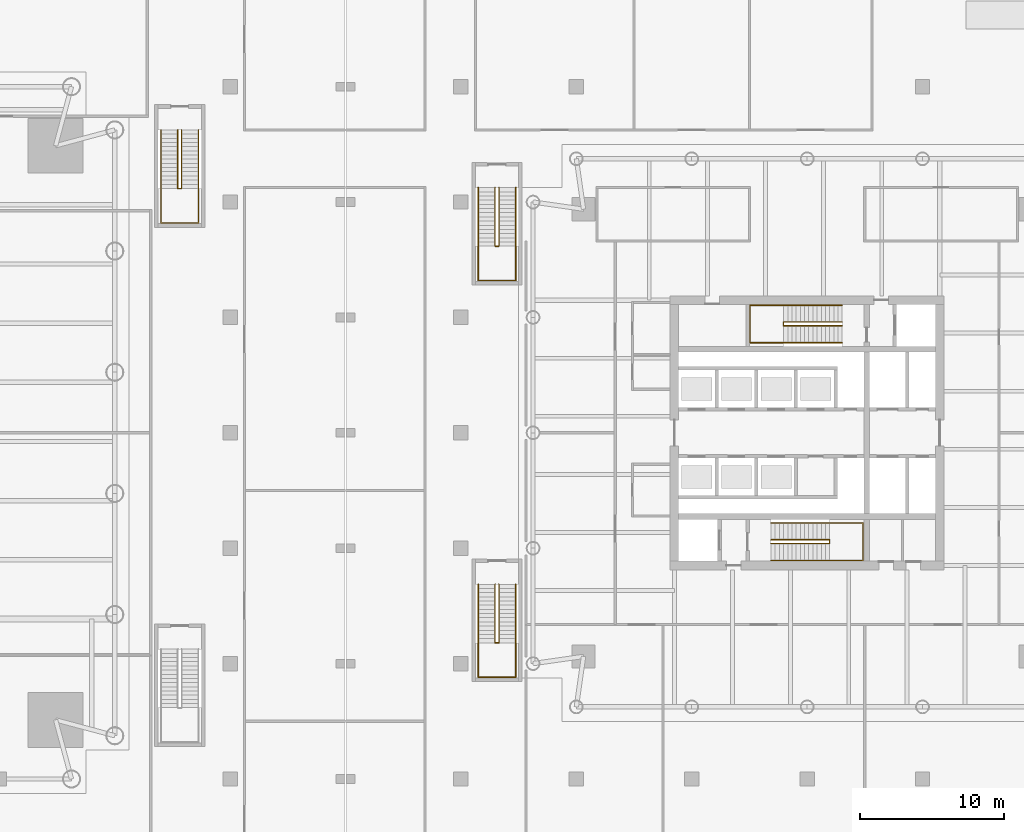
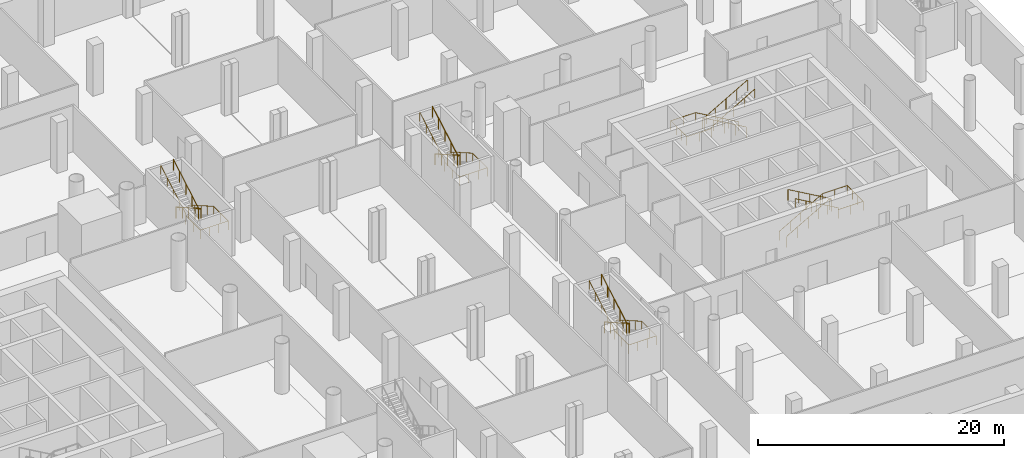
# One storey, part 20 of 22: 10 railings.
"""IFC4 building model written with IfcOpenShell, lengths in metres."""

from ifc_helpers import new_model, si_unit, direction, frame, origin, origin_2d, place, context, subcontext, project, spatial, circle, extrude, material, type_object, element, save


model = new_model("IFC4")

# Units and contexts
model_context = context("Model", 3, precision=1e-05, world=origin(), true_north=direction((0.0, 1.0)))
body_context = subcontext(model_context, "Body", "Model", "MODEL_VIEW")
ifc_project = project(units=[si_unit("LENGTHUNIT", "METRE"), si_unit("AREAUNIT", "SQUARE_METRE"), si_unit("VOLUMEUNIT", "CUBIC_METRE"), si_unit("PLANEANGLEUNIT", "RADIAN"), si_unit("MASSUNIT", "GRAM", prefix="KILO")], contexts=[model_context])

# Site, building, storey
site_placement = place(None, origin())
site = spatial("IfcSite", under=ifc_project, at=site_placement, CompositionType="ELEMENT")
building_placement = place(site_placement, origin())
building = spatial("IfcBuilding", under=site, at=building_placement, Name="Ostroluk Exchange", CompositionType="ELEMENT")
storey_placement = place(building_placement, frame((0.0, 0.0, -5.0)))
storey = spatial("IfcBuildingStorey", under=building, at=storey_placement, Name="B1", CompositionType="ELEMENT", Elevation=-5.0)

# Railings
ifc_material_1 = material(Name="Steel S355", Category="steel")
railing_type_1 = type_object("IfcRailingType", Name="Stair guard 1100", PredefinedType="GUARDRAIL", material=ifc_material_1)
railing_1_placement = place(storey_placement, frame((114.5, 38.580078125, 0.166748046875)))
element("IfcRailing", 1, at=railing_1_placement, inside=storey, type_object=railing_type_1, Name="Stair T2-S1 guard B1", PredefinedType="GUARDRAIL", context=body_context, shape_type="SweptSolid", body=[
    extrude(circle(Radius=0.02392578125, at=origin_2d()), frame((0.0, 0.0, 1.076171875), z_axis=(0.867024558463, 0.0, 0.498265406207), x_axis=(0.0, 1.0, 0.0)), (0.0, 0.0, 1.0), 4.682861328125),
    extrude(circle(Radius=0.02392578125, at=origin_2d()), frame((4.06005859375, 0.0, 3.4091796875), z_axis=(0.0, -1.0, 0.0), x_axis=(1.0, 0.0, 0.0)), (0.0, 0.0, 1.0), 0.260009765625),
    extrude(circle(Radius=0.02392578125, at=origin_2d()), frame((4.06005859375, -0.260009765625, 3.4091796875), z_axis=(0.0, 0.0, 1.0), x_axis=(1.0, 0.0, 0.0)), (0.0, 0.0, 1.0), 0.166748046875),
    extrude(circle(Radius=0.02392578125, at=origin_2d()), frame((4.06005859375, -0.260009765625, 3.576171875), z_axis=(-0.867024558463, 0.0, 0.498265406207), x_axis=(0.0, -1.0, 0.0)), (0.0, 0.0, 1.0), 4.682861328125),
    extrude(circle(Radius=0.02099609375, at=origin_2d()), origin(), (0.0, 0.0, 1.0), 1.052001953125),
    extrude(circle(Radius=0.02099609375, at=origin_2d()), frame((1.01513671875, 0.0, 0.583251953125)), (0.0, 0.0, 1.0), 1.052001953125),
    extrude(circle(Radius=0.02099609375, at=origin_2d()), frame((2.030029296875, 0.0, 1.16650390625)), (0.0, 0.0, 1.0), 1.052001953125),
    extrude(circle(Radius=0.02099609375, at=origin_2d()), frame((3.044921875, 0.0, 1.75)), (0.0, 0.0, 1.0), 1.052001953125),
    extrude(circle(Radius=0.02099609375, at=origin_2d()), frame((4.06005859375, 0.0, 2.333251953125)), (0.0, 0.0, 1.0), 1.052001953125),
    extrude(circle(Radius=0.02099609375, at=origin_2d()), frame((4.06005859375, -0.260009765625, 2.333251953125)), (0.0, 0.0, 1.0), 1.052001953125),
    extrude(circle(Radius=0.02099609375, at=origin_2d()), frame((4.06005859375, -0.260009765625, 2.5)), (0.0, 0.0, 1.0), 1.052001953125),
    extrude(circle(Radius=0.02099609375, at=origin_2d()), frame((3.044921875, -0.260009765625, 3.083251953125)), (0.0, 0.0, 1.0), 1.052001953125),
    extrude(circle(Radius=0.02099609375, at=origin_2d()), frame((2.030029296875, -0.260009765625, 3.66650390625)), (0.0, 0.0, 1.0), 1.052001953125),
    extrude(circle(Radius=0.02099609375, at=origin_2d()), frame((1.01513671875, -0.260009765625, 4.25)), (0.0, 0.0, 1.0), 1.052001953125),
    extrude(circle(Radius=0.02099609375, at=origin_2d()), frame((0.0, -0.260009765625, 4.833251953125)), (0.0, 0.0, 1.0), 1.052001953125),
])
railing_2_placement = place(storey_placement, frame((119.429931640625, 53.679931640625, 0.166748046875)))
element("IfcRailing", 2, at=railing_2_placement, inside=storey, type_object=railing_type_1, Name="Stair T2-S2 guard B1", PredefinedType="GUARDRAIL", context=body_context, shape_type="SweptSolid", body=[
    extrude(circle(Radius=0.02392578125, at=origin_2d()), frame((0.0, 0.0, 1.076171875), z_axis=(-0.86701161382, 0.0, 0.498287930319), x_axis=(0.0, -1.0, 0.0)), (0.0, 0.0, 1.0), 4.6826171875),
    extrude(circle(Radius=0.02392578125, at=origin_2d()), frame((-4.059814453125, 0.0, 3.4091796875), z_axis=(0.0, -1.0, 0.0), x_axis=(1.0, 0.0, 0.0)), (0.0, 0.0, 1.0), 0.260009765625),
    extrude(circle(Radius=0.02392578125, at=origin_2d()), frame((-4.059814453125, -0.260009765625, 3.4091796875), z_axis=(0.0, 0.0, 1.0), x_axis=(1.0, 0.0, 0.0)), (0.0, 0.0, 1.0), 0.166748046875),
    extrude(circle(Radius=0.02392578125, at=origin_2d()), frame((-4.059814453125, -0.260009765625, 3.576171875), z_axis=(0.86701161382, 0.0, 0.498287930319), x_axis=(0.0, 1.0, 0.0)), (0.0, 0.0, 1.0), 4.6826171875),
    extrude(circle(Radius=0.02099609375, at=origin_2d()), origin(), (0.0, 0.0, 1.0), 1.052001953125),
    extrude(circle(Radius=0.02099609375, at=origin_2d()), frame((-1.014892578125, 0.0, 0.583251953125)), (0.0, 0.0, 1.0), 1.052001953125),
    extrude(circle(Radius=0.02099609375, at=origin_2d()), frame((-2.02978515625, 0.0, 1.16650390625)), (0.0, 0.0, 1.0), 1.052001953125),
    extrude(circle(Radius=0.02099609375, at=origin_2d()), frame((-3.044921875, 0.0, 1.75)), (0.0, 0.0, 1.0), 1.052001953125),
    extrude(circle(Radius=0.02099609375, at=origin_2d()), frame((-4.059814453125, 0.0, 2.333251953125)), (0.0, 0.0, 1.0), 1.052001953125),
    extrude(circle(Radius=0.02099609375, at=origin_2d()), frame((-4.059814453125, -0.260009765625, 2.333251953125)), (0.0, 0.0, 1.0), 1.052001953125),
    extrude(circle(Radius=0.02099609375, at=origin_2d()), frame((-4.059814453125, -0.260009765625, 2.5)), (0.0, 0.0, 1.0), 1.052001953125),
    extrude(circle(Radius=0.02099609375, at=origin_2d()), frame((-3.044921875, -0.260009765625, 3.083251953125)), (0.0, 0.0, 1.0), 1.052001953125),
    extrude(circle(Radius=0.02099609375, at=origin_2d()), frame((-2.02978515625, -0.260009765625, 3.66650390625)), (0.0, 0.0, 1.0), 1.052001953125),
    extrude(circle(Radius=0.02099609375, at=origin_2d()), frame((-1.014892578125, -0.260009765625, 4.25)), (0.0, 0.0, 1.0), 1.052001953125),
    extrude(circle(Radius=0.02099609375, at=origin_2d()), frame((0.0, -0.260009765625, 4.833251953125)), (0.0, 0.0, 1.0), 1.052001953125),
])
railing_3_placement = place(storey_placement, frame((73.6298828125, 67.0, 0.166748046875)))
element("IfcRailing", 3, at=railing_3_placement, inside=storey, type_object=railing_type_1, Name="Stair PS4 guard B1", PredefinedType="GUARDRAIL", context=body_context, shape_type="SweptSolid", body=[
    extrude(circle(Radius=0.02392578125, at=origin_2d()), frame((0.0, 0.0, 1.076171875), z_axis=(0.0, -0.867024558463, 0.498265406207), x_axis=(1.0, 0.0, 0.0)), (0.0, 0.0, 1.0), 4.682861328125),
    extrude(circle(Radius=0.02392578125, at=origin_2d()), frame((0.0, -4.06005859375, 3.4091796875), z_axis=(-1.0, 0.0, 0.0), x_axis=(0.0, -1.0, 0.0)), (0.0, 0.0, 1.0), 0.259765625),
    extrude(circle(Radius=0.02392578125, at=origin_2d()), frame((-0.259765625, -4.06005859375, 3.4091796875), z_axis=(0.0, 0.0, 1.0), x_axis=(1.0, 0.0, 0.0)), (0.0, 0.0, 1.0), 0.166748046875),
    extrude(circle(Radius=0.02392578125, at=origin_2d()), frame((-0.259765625, -4.06005859375, 3.576171875), z_axis=(0.0, 0.867024558463, 0.498265406207), x_axis=(-1.0, 0.0, 0.0)), (0.0, 0.0, 1.0), 4.682861328125),
    extrude(circle(Radius=0.02099609375, at=origin_2d()), origin(), (0.0, 0.0, 1.0), 1.052001953125),
    extrude(circle(Radius=0.02099609375, at=origin_2d()), frame((0.0, -1.01513671875, 0.583251953125)), (0.0, 0.0, 1.0), 1.052001953125),
    extrude(circle(Radius=0.02099609375, at=origin_2d()), frame((0.0, -2.030029296875, 1.16650390625)), (0.0, 0.0, 1.0), 1.052001953125),
    extrude(circle(Radius=0.02099609375, at=origin_2d()), frame((0.0, -3.044921875, 1.75)), (0.0, 0.0, 1.0), 1.052001953125),
    extrude(circle(Radius=0.02099609375, at=origin_2d()), frame((0.0, -4.06005859375, 2.333251953125)), (0.0, 0.0, 1.0), 1.052001953125),
    extrude(circle(Radius=0.02099609375, at=origin_2d()), frame((-0.259765625, -4.06005859375, 2.333251953125)), (0.0, 0.0, 1.0), 1.052001953125),
    extrude(circle(Radius=0.02099609375, at=origin_2d()), frame((-0.259765625, -4.06005859375, 2.5)), (0.0, 0.0, 1.0), 1.052001953125),
    extrude(circle(Radius=0.02099609375, at=origin_2d()), frame((-0.259765625, -3.044921875, 3.083251953125)), (0.0, 0.0, 1.0), 1.052001953125),
    extrude(circle(Radius=0.02099609375, at=origin_2d()), frame((-0.259765625, -2.030029296875, 3.66650390625)), (0.0, 0.0, 1.0), 1.052001953125),
    extrude(circle(Radius=0.02099609375, at=origin_2d()), frame((-0.259765625, -1.01513671875, 4.25)), (0.0, 0.0, 1.0), 1.052001953125),
    extrude(circle(Radius=0.02099609375, at=origin_2d()), frame((-0.259765625, 0.0, 4.833251953125)), (0.0, 0.0, 1.0), 1.052001953125),
])
railing_4_placement = place(storey_placement, frame((95.6298828125, 35.5, 0.166748046875)))
element("IfcRailing", 4, at=railing_4_placement, inside=storey, type_object=railing_type_1, Name="Stair PS5 guard B1", PredefinedType="GUARDRAIL", context=body_context, shape_type="SweptSolid", body=[
    extrude(circle(Radius=0.02392578125, at=origin_2d()), frame((0.0, 0.0, 1.076171875), z_axis=(0.0, -0.867024558463, 0.498265406207), x_axis=(1.0, 0.0, 0.0)), (0.0, 0.0, 1.0), 4.682861328125),
    extrude(circle(Radius=0.02392578125, at=origin_2d()), frame((0.0, -4.06005859375, 3.4091796875), z_axis=(-1.0, 0.0, 0.0), x_axis=(0.0, -1.0, 0.0)), (0.0, 0.0, 1.0), 0.259765625),
    extrude(circle(Radius=0.02392578125, at=origin_2d()), frame((-0.259765625, -4.06005859375, 3.4091796875), z_axis=(0.0, 0.0, 1.0), x_axis=(1.0, 0.0, 0.0)), (0.0, 0.0, 1.0), 0.166748046875),
    extrude(circle(Radius=0.02392578125, at=origin_2d()), frame((-0.259765625, -4.06005859375, 3.576171875), z_axis=(0.0, 0.867024558463, 0.498265406207), x_axis=(-1.0, 0.0, 0.0)), (0.0, 0.0, 1.0), 4.682861328125),
    extrude(circle(Radius=0.02099609375, at=origin_2d()), origin(), (0.0, 0.0, 1.0), 1.052001953125),
    extrude(circle(Radius=0.02099609375, at=origin_2d()), frame((0.0, -1.01513671875, 0.583251953125)), (0.0, 0.0, 1.0), 1.052001953125),
    extrude(circle(Radius=0.02099609375, at=origin_2d()), frame((0.0, -2.030029296875, 1.16650390625)), (0.0, 0.0, 1.0), 1.052001953125),
    extrude(circle(Radius=0.02099609375, at=origin_2d()), frame((0.0, -3.044921875, 1.75)), (0.0, 0.0, 1.0), 1.052001953125),
    extrude(circle(Radius=0.02099609375, at=origin_2d()), frame((0.0, -4.06005859375, 2.333251953125)), (0.0, 0.0, 1.0), 1.052001953125),
    extrude(circle(Radius=0.02099609375, at=origin_2d()), frame((-0.259765625, -4.06005859375, 2.333251953125)), (0.0, 0.0, 1.0), 1.052001953125),
    extrude(circle(Radius=0.02099609375, at=origin_2d()), frame((-0.259765625, -4.06005859375, 2.5)), (0.0, 0.0, 1.0), 1.052001953125),
    extrude(circle(Radius=0.02099609375, at=origin_2d()), frame((-0.259765625, -3.044921875, 3.083251953125)), (0.0, 0.0, 1.0), 1.052001953125),
    extrude(circle(Radius=0.02099609375, at=origin_2d()), frame((-0.259765625, -2.030029296875, 3.66650390625)), (0.0, 0.0, 1.0), 1.052001953125),
    extrude(circle(Radius=0.02099609375, at=origin_2d()), frame((-0.259765625, -1.01513671875, 4.25)), (0.0, 0.0, 1.0), 1.052001953125),
    extrude(circle(Radius=0.02099609375, at=origin_2d()), frame((-0.259765625, 0.0, 4.833251953125)), (0.0, 0.0, 1.0), 1.052001953125),
])
railing_5_placement = place(storey_placement, frame((95.6298828125, 63.0, 0.166748046875)))
element("IfcRailing", 5, at=railing_5_placement, inside=storey, type_object=railing_type_1, Name="Stair PS6 guard B1", PredefinedType="GUARDRAIL", context=body_context, shape_type="SweptSolid", body=[
    extrude(circle(Radius=0.02392578125, at=origin_2d()), frame((0.0, 0.0, 1.076171875), z_axis=(0.0, -0.867024558463, 0.498265406207), x_axis=(1.0, 0.0, 0.0)), (0.0, 0.0, 1.0), 4.682861328125),
    extrude(circle(Radius=0.02392578125, at=origin_2d()), frame((0.0, -4.06005859375, 3.4091796875), z_axis=(-1.0, 0.0, 0.0), x_axis=(0.0, -1.0, 0.0)), (0.0, 0.0, 1.0), 0.259765625),
    extrude(circle(Radius=0.02392578125, at=origin_2d()), frame((-0.259765625, -4.06005859375, 3.4091796875), z_axis=(0.0, 0.0, 1.0), x_axis=(1.0, 0.0, 0.0)), (0.0, 0.0, 1.0), 0.166748046875),
    extrude(circle(Radius=0.02392578125, at=origin_2d()), frame((-0.259765625, -4.06005859375, 3.576171875), z_axis=(0.0, 0.867024558463, 0.498265406207), x_axis=(-1.0, 0.0, 0.0)), (0.0, 0.0, 1.0), 4.682861328125),
    extrude(circle(Radius=0.02099609375, at=origin_2d()), origin(), (0.0, 0.0, 1.0), 1.052001953125),
    extrude(circle(Radius=0.02099609375, at=origin_2d()), frame((0.0, -1.01513671875, 0.583251953125)), (0.0, 0.0, 1.0), 1.052001953125),
    extrude(circle(Radius=0.02099609375, at=origin_2d()), frame((0.0, -2.030029296875, 1.16650390625)), (0.0, 0.0, 1.0), 1.052001953125),
    extrude(circle(Radius=0.02099609375, at=origin_2d()), frame((0.0, -3.044921875, 1.75)), (0.0, 0.0, 1.0), 1.052001953125),
    extrude(circle(Radius=0.02099609375, at=origin_2d()), frame((0.0, -4.06005859375, 2.333251953125)), (0.0, 0.0, 1.0), 1.052001953125),
    extrude(circle(Radius=0.02099609375, at=origin_2d()), frame((-0.259765625, -4.06005859375, 2.333251953125)), (0.0, 0.0, 1.0), 1.052001953125),
    extrude(circle(Radius=0.02099609375, at=origin_2d()), frame((-0.259765625, -4.06005859375, 2.5)), (0.0, 0.0, 1.0), 1.052001953125),
    extrude(circle(Radius=0.02099609375, at=origin_2d()), frame((-0.259765625, -3.044921875, 3.083251953125)), (0.0, 0.0, 1.0), 1.052001953125),
    extrude(circle(Radius=0.02099609375, at=origin_2d()), frame((-0.259765625, -2.030029296875, 3.66650390625)), (0.0, 0.0, 1.0), 1.052001953125),
    extrude(circle(Radius=0.02099609375, at=origin_2d()), frame((-0.259765625, -1.01513671875, 4.25)), (0.0, 0.0, 1.0), 1.052001953125),
    extrude(circle(Radius=0.02099609375, at=origin_2d()), frame((-0.259765625, 0.0, 4.833251953125)), (0.0, 0.0, 1.0), 1.052001953125),
])
ifc_material_2 = material(Name="Stainless steel", Category="steel")
railing_type_2 = type_object("IfcRailingType", Name="Stair handrail 900", PredefinedType="HANDRAIL", material=ifc_material_2)
railing_6_placement = place(storey_placement, frame((114.5, 39.75, 0.166748046875)))
element("IfcRailing", 6, at=railing_6_placement, inside=storey, type_object=railing_type_2, Name="Stair T2-S1 handrail B1", PredefinedType="HANDRAIL", context=body_context, shape_type="SweptSolid", body=[
    extrude(circle(Radius=0.02392578125, at=origin_2d()), frame((0.0, 0.0, 0.8759765625), z_axis=(0.867024558463, 0.0, 0.498265406207), x_axis=(0.0, 1.0, 0.0)), (0.0, 0.0, 1.0), 4.682861328125),
    extrude(circle(Radius=0.02392578125, at=origin_2d()), frame((4.06005859375, 0.0, 3.208984375), z_axis=(1.0, 0.0, 0.0), x_axis=(0.0, 1.0, 0.0)), (0.0, 0.0, 1.0), 2.31982421875),
    extrude(circle(Radius=0.02392578125, at=origin_2d()), frame((6.3798828125, 0.0, 3.208984375), z_axis=(0.0, -1.0, 0.0), x_axis=(1.0, 0.0, 0.0)), (0.0, 0.0, 1.0), 2.60009765625),
    extrude(circle(Radius=0.02392578125, at=origin_2d()), frame((6.3798828125, -2.60009765625, 3.208984375), z_axis=(-1.0, 0.0, 0.0), x_axis=(0.0, -1.0, 0.0)), (0.0, 0.0, 1.0), 2.31982421875),
    extrude(circle(Radius=0.02392578125, at=origin_2d()), frame((4.06005859375, -2.60009765625, 3.208984375), z_axis=(0.0, 0.0, 1.0), x_axis=(1.0, 0.0, 0.0)), (0.0, 0.0, 1.0), 0.166748046875),
    extrude(circle(Radius=0.02392578125, at=origin_2d()), frame((4.06005859375, -2.60009765625, 3.3759765625), z_axis=(-0.867024558463, 0.0, 0.498265406207), x_axis=(0.0, -1.0, 0.0)), (0.0, 0.0, 1.0), 4.682861328125),
    extrude(circle(Radius=0.02099609375, at=origin_2d()), origin(), (0.0, 0.0, 1.0), 0.851806640625),
    extrude(circle(Radius=0.02099609375, at=origin_2d()), frame((1.01513671875, 0.0, 0.583251953125)), (0.0, 0.0, 1.0), 0.851806640625),
    extrude(circle(Radius=0.02099609375, at=origin_2d()), frame((2.030029296875, 0.0, 1.16650390625)), (0.0, 0.0, 1.0), 0.851806640625),
    extrude(circle(Radius=0.02099609375, at=origin_2d()), frame((3.044921875, 0.0, 1.75)), (0.0, 0.0, 1.0), 0.851806640625),
    extrude(circle(Radius=0.02099609375, at=origin_2d()), frame((4.06005859375, 0.0, 2.333251953125)), (0.0, 0.0, 1.0), 0.851806640625),
    extrude(circle(Radius=0.02099609375, at=origin_2d()), frame((5.219970703125, 0.0, 2.333251953125)), (0.0, 0.0, 1.0), 0.851806640625),
    extrude(circle(Radius=0.02099609375, at=origin_2d()), frame((6.3798828125, 0.0, 2.333251953125)), (0.0, 0.0, 1.0), 0.851806640625),
    extrude(circle(Radius=0.02099609375, at=origin_2d()), frame((6.3798828125, -0.86669921875, 2.333251953125)), (0.0, 0.0, 1.0), 0.851806640625),
    extrude(circle(Radius=0.02099609375, at=origin_2d()), frame((6.3798828125, -1.7333984375, 2.333251953125)), (0.0, 0.0, 1.0), 0.851806640625),
    extrude(circle(Radius=0.02099609375, at=origin_2d()), frame((6.3798828125, -2.60009765625, 2.333251953125)), (0.0, 0.0, 1.0), 0.851806640625),
    extrude(circle(Radius=0.02099609375, at=origin_2d()), frame((5.219970703125, -2.60009765625, 2.333251953125)), (0.0, 0.0, 1.0), 0.851806640625),
    extrude(circle(Radius=0.02099609375, at=origin_2d()), frame((4.06005859375, -2.60009765625, 2.333251953125)), (0.0, 0.0, 1.0), 0.851806640625),
    extrude(circle(Radius=0.02099609375, at=origin_2d()), frame((4.06005859375, -2.60009765625, 2.5)), (0.0, 0.0, 1.0), 0.851806640625),
    extrude(circle(Radius=0.02099609375, at=origin_2d()), frame((3.044921875, -2.60009765625, 3.083251953125)), (0.0, 0.0, 1.0), 0.851806640625),
    extrude(circle(Radius=0.02099609375, at=origin_2d()), frame((2.030029296875, -2.60009765625, 3.66650390625)), (0.0, 0.0, 1.0), 0.851806640625),
    extrude(circle(Radius=0.02099609375, at=origin_2d()), frame((1.01513671875, -2.60009765625, 4.25)), (0.0, 0.0, 1.0), 0.851806640625),
    extrude(circle(Radius=0.02099609375, at=origin_2d()), frame((0.0, -2.60009765625, 4.833251953125)), (0.0, 0.0, 1.0), 0.851806640625),
])
railing_7_placement = place(storey_placement, frame((119.429931640625, 54.85009765625, 0.166748046875)))
element("IfcRailing", 7, at=railing_7_placement, inside=storey, type_object=railing_type_2, Name="Stair T2-S2 handrail B1", PredefinedType="HANDRAIL", context=body_context, shape_type="SweptSolid", body=[
    extrude(circle(Radius=0.02392578125, at=origin_2d()), frame((0.0, 0.0, 0.8759765625), z_axis=(-0.86701161382, 0.0, 0.498287930319), x_axis=(0.0, -1.0, 0.0)), (0.0, 0.0, 1.0), 4.6826171875),
    extrude(circle(Radius=0.02392578125, at=origin_2d()), frame((-4.059814453125, 0.0, 3.208984375), z_axis=(-1.0, 0.0, 0.0), x_axis=(0.0, -1.0, 0.0)), (0.0, 0.0, 1.0), 2.320068359375),
    extrude(circle(Radius=0.02392578125, at=origin_2d()), frame((-6.3798828125, 0.0, 3.208984375), z_axis=(0.0, -1.0, 0.0), x_axis=(1.0, 0.0, 0.0)), (0.0, 0.0, 1.0), 2.60009765625),
    extrude(circle(Radius=0.02392578125, at=origin_2d()), frame((-6.3798828125, -2.60009765625, 3.208984375), z_axis=(1.0, 0.0, 0.0), x_axis=(0.0, 1.0, 0.0)), (0.0, 0.0, 1.0), 2.320068359375),
    extrude(circle(Radius=0.02392578125, at=origin_2d()), frame((-4.059814453125, -2.60009765625, 3.208984375), z_axis=(0.0, 0.0, 1.0), x_axis=(1.0, 0.0, 0.0)), (0.0, 0.0, 1.0), 0.166748046875),
    extrude(circle(Radius=0.02392578125, at=origin_2d()), frame((-4.059814453125, -2.60009765625, 3.3759765625), z_axis=(0.86701161382, 0.0, 0.498287930319), x_axis=(0.0, 1.0, 0.0)), (0.0, 0.0, 1.0), 4.6826171875),
    extrude(circle(Radius=0.02099609375, at=origin_2d()), origin(), (0.0, 0.0, 1.0), 0.851806640625),
    extrude(circle(Radius=0.02099609375, at=origin_2d()), frame((-1.014892578125, 0.0, 0.583251953125)), (0.0, 0.0, 1.0), 0.851806640625),
    extrude(circle(Radius=0.02099609375, at=origin_2d()), frame((-2.02978515625, 0.0, 1.16650390625)), (0.0, 0.0, 1.0), 0.851806640625),
    extrude(circle(Radius=0.02099609375, at=origin_2d()), frame((-3.044921875, 0.0, 1.75)), (0.0, 0.0, 1.0), 0.851806640625),
    extrude(circle(Radius=0.02099609375, at=origin_2d()), frame((-4.059814453125, 0.0, 2.333251953125)), (0.0, 0.0, 1.0), 0.851806640625),
    extrude(circle(Radius=0.02099609375, at=origin_2d()), frame((-5.2197265625, 0.0, 2.333251953125)), (0.0, 0.0, 1.0), 0.851806640625),
    extrude(circle(Radius=0.02099609375, at=origin_2d()), frame((-6.3798828125, 0.0, 2.333251953125)), (0.0, 0.0, 1.0), 0.851806640625),
    extrude(circle(Radius=0.02099609375, at=origin_2d()), frame((-6.3798828125, -0.86669921875, 2.333251953125)), (0.0, 0.0, 1.0), 0.851806640625),
    extrude(circle(Radius=0.02099609375, at=origin_2d()), frame((-6.3798828125, -1.7333984375, 2.333251953125)), (0.0, 0.0, 1.0), 0.851806640625),
    extrude(circle(Radius=0.02099609375, at=origin_2d()), frame((-6.3798828125, -2.60009765625, 2.333251953125)), (0.0, 0.0, 1.0), 0.851806640625),
    extrude(circle(Radius=0.02099609375, at=origin_2d()), frame((-5.2197265625, -2.60009765625, 2.333251953125)), (0.0, 0.0, 1.0), 0.851806640625),
    extrude(circle(Radius=0.02099609375, at=origin_2d()), frame((-4.059814453125, -2.60009765625, 2.333251953125)), (0.0, 0.0, 1.0), 0.851806640625),
    extrude(circle(Radius=0.02099609375, at=origin_2d()), frame((-4.059814453125, -2.60009765625, 2.5)), (0.0, 0.0, 1.0), 0.851806640625),
    extrude(circle(Radius=0.02099609375, at=origin_2d()), frame((-3.044921875, -2.60009765625, 3.083251953125)), (0.0, 0.0, 1.0), 0.851806640625),
    extrude(circle(Radius=0.02099609375, at=origin_2d()), frame((-2.02978515625, -2.60009765625, 3.66650390625)), (0.0, 0.0, 1.0), 0.851806640625),
    extrude(circle(Radius=0.02099609375, at=origin_2d()), frame((-1.014892578125, -2.60009765625, 4.25)), (0.0, 0.0, 1.0), 0.851806640625),
    extrude(circle(Radius=0.02099609375, at=origin_2d()), frame((0.0, -2.60009765625, 4.833251953125)), (0.0, 0.0, 1.0), 0.851806640625),
])
railing_8_placement = place(storey_placement, frame((74.800048828125, 67.0, 0.166748046875)))
element("IfcRailing", 8, at=railing_8_placement, inside=storey, type_object=railing_type_2, Name="Stair PS4 handrail B1", PredefinedType="HANDRAIL", context=body_context, shape_type="SweptSolid", body=[
    extrude(circle(Radius=0.02392578125, at=origin_2d()), frame((0.0, 0.0, 0.8759765625), z_axis=(0.0, -0.867024558463, 0.498265406207), x_axis=(1.0, 0.0, 0.0)), (0.0, 0.0, 1.0), 4.682861328125),
    extrude(circle(Radius=0.02392578125, at=origin_2d()), frame((0.0, -4.06005859375, 3.208984375), z_axis=(0.0, -1.0, 0.0), x_axis=(1.0, 0.0, 0.0)), (0.0, 0.0, 1.0), 2.389892578125),
    extrude(circle(Radius=0.02392578125, at=origin_2d()), frame((0.0, -6.449951171875, 3.208984375), z_axis=(-1.0, 0.0, 0.0), x_axis=(0.0, -1.0, 0.0)), (0.0, 0.0, 1.0), 2.60009765625),
    extrude(circle(Radius=0.02392578125, at=origin_2d()), frame((-2.60009765625, -6.449951171875, 3.208984375), z_axis=(0.0, 1.0, 0.0), x_axis=(-1.0, 0.0, 0.0)), (0.0, 0.0, 1.0), 2.389892578125),
    extrude(circle(Radius=0.02392578125, at=origin_2d()), frame((-2.60009765625, -4.06005859375, 3.208984375), z_axis=(0.0, 0.0, 1.0), x_axis=(1.0, 0.0, 0.0)), (0.0, 0.0, 1.0), 0.166748046875),
    extrude(circle(Radius=0.02392578125, at=origin_2d()), frame((-2.60009765625, -4.06005859375, 3.3759765625), z_axis=(0.0, 0.867024558463, 0.498265406207), x_axis=(-1.0, 0.0, 0.0)), (0.0, 0.0, 1.0), 4.682861328125),
    extrude(circle(Radius=0.02099609375, at=origin_2d()), origin(), (0.0, 0.0, 1.0), 0.851806640625),
    extrude(circle(Radius=0.02099609375, at=origin_2d()), frame((0.0, -1.01513671875, 0.583251953125)), (0.0, 0.0, 1.0), 0.851806640625),
    extrude(circle(Radius=0.02099609375, at=origin_2d()), frame((0.0, -2.030029296875, 1.16650390625)), (0.0, 0.0, 1.0), 0.851806640625),
    extrude(circle(Radius=0.02099609375, at=origin_2d()), frame((0.0, -3.044921875, 1.75)), (0.0, 0.0, 1.0), 0.851806640625),
    extrude(circle(Radius=0.02099609375, at=origin_2d()), frame((0.0, -4.06005859375, 2.333251953125)), (0.0, 0.0, 1.0), 0.851806640625),
    extrude(circle(Radius=0.02099609375, at=origin_2d()), frame((0.0, -5.2548828125, 2.333251953125)), (0.0, 0.0, 1.0), 0.851806640625),
    extrude(circle(Radius=0.02099609375, at=origin_2d()), frame((0.0, -6.449951171875, 2.333251953125)), (0.0, 0.0, 1.0), 0.851806640625),
    extrude(circle(Radius=0.02099609375, at=origin_2d()), frame((-0.86669921875, -6.449951171875, 2.333251953125)), (0.0, 0.0, 1.0), 0.851806640625),
    extrude(circle(Radius=0.02099609375, at=origin_2d()), frame((-1.7333984375, -6.449951171875, 2.333251953125)), (0.0, 0.0, 1.0), 0.851806640625),
    extrude(circle(Radius=0.02099609375, at=origin_2d()), frame((-2.60009765625, -6.449951171875, 2.333251953125)), (0.0, 0.0, 1.0), 0.851806640625),
    extrude(circle(Radius=0.02099609375, at=origin_2d()), frame((-2.60009765625, -5.2548828125, 2.333251953125)), (0.0, 0.0, 1.0), 0.851806640625),
    extrude(circle(Radius=0.02099609375, at=origin_2d()), frame((-2.60009765625, -4.06005859375, 2.333251953125)), (0.0, 0.0, 1.0), 0.851806640625),
    extrude(circle(Radius=0.02099609375, at=origin_2d()), frame((-2.60009765625, -4.06005859375, 2.5)), (0.0, 0.0, 1.0), 0.851806640625),
    extrude(circle(Radius=0.02099609375, at=origin_2d()), frame((-2.60009765625, -3.044921875, 3.083251953125)), (0.0, 0.0, 1.0), 0.851806640625),
    extrude(circle(Radius=0.02099609375, at=origin_2d()), frame((-2.60009765625, -2.030029296875, 3.66650390625)), (0.0, 0.0, 1.0), 0.851806640625),
    extrude(circle(Radius=0.02099609375, at=origin_2d()), frame((-2.60009765625, -1.01513671875, 4.25)), (0.0, 0.0, 1.0), 0.851806640625),
    extrude(circle(Radius=0.02099609375, at=origin_2d()), frame((-2.60009765625, 0.0, 4.833251953125)), (0.0, 0.0, 1.0), 0.851806640625),
])
railing_9_placement = place(storey_placement, frame((96.800048828125, 35.5, 0.166748046875)))
element("IfcRailing", 9, at=railing_9_placement, inside=storey, type_object=railing_type_2, Name="Stair PS5 handrail B1", PredefinedType="HANDRAIL", context=body_context, shape_type="SweptSolid", body=[
    extrude(circle(Radius=0.02392578125, at=origin_2d()), frame((0.0, 0.0, 0.8759765625), z_axis=(0.0, -0.867024558463, 0.498265406207), x_axis=(1.0, 0.0, 0.0)), (0.0, 0.0, 1.0), 4.682861328125),
    extrude(circle(Radius=0.02392578125, at=origin_2d()), frame((0.0, -4.06005859375, 3.208984375), z_axis=(0.0, -1.0, 0.0), x_axis=(1.0, 0.0, 0.0)), (0.0, 0.0, 1.0), 2.389892578125),
    extrude(circle(Radius=0.02392578125, at=origin_2d()), frame((0.0, -6.449951171875, 3.208984375), z_axis=(-1.0, 0.0, 0.0), x_axis=(0.0, -1.0, 0.0)), (0.0, 0.0, 1.0), 2.60009765625),
    extrude(circle(Radius=0.02392578125, at=origin_2d()), frame((-2.60009765625, -6.449951171875, 3.208984375), z_axis=(0.0, 1.0, 0.0), x_axis=(-1.0, 0.0, 0.0)), (0.0, 0.0, 1.0), 2.389892578125),
    extrude(circle(Radius=0.02392578125, at=origin_2d()), frame((-2.60009765625, -4.06005859375, 3.208984375), z_axis=(0.0, 0.0, 1.0), x_axis=(1.0, 0.0, 0.0)), (0.0, 0.0, 1.0), 0.166748046875),
    extrude(circle(Radius=0.02392578125, at=origin_2d()), frame((-2.60009765625, -4.06005859375, 3.3759765625), z_axis=(0.0, 0.867024558463, 0.498265406207), x_axis=(-1.0, 0.0, 0.0)), (0.0, 0.0, 1.0), 4.682861328125),
    extrude(circle(Radius=0.02099609375, at=origin_2d()), origin(), (0.0, 0.0, 1.0), 0.851806640625),
    extrude(circle(Radius=0.02099609375, at=origin_2d()), frame((0.0, -1.01513671875, 0.583251953125)), (0.0, 0.0, 1.0), 0.851806640625),
    extrude(circle(Radius=0.02099609375, at=origin_2d()), frame((0.0, -2.030029296875, 1.16650390625)), (0.0, 0.0, 1.0), 0.851806640625),
    extrude(circle(Radius=0.02099609375, at=origin_2d()), frame((0.0, -3.044921875, 1.75)), (0.0, 0.0, 1.0), 0.851806640625),
    extrude(circle(Radius=0.02099609375, at=origin_2d()), frame((0.0, -4.06005859375, 2.333251953125)), (0.0, 0.0, 1.0), 0.851806640625),
    extrude(circle(Radius=0.02099609375, at=origin_2d()), frame((0.0, -5.2548828125, 2.333251953125)), (0.0, 0.0, 1.0), 0.851806640625),
    extrude(circle(Radius=0.02099609375, at=origin_2d()), frame((0.0, -6.449951171875, 2.333251953125)), (0.0, 0.0, 1.0), 0.851806640625),
    extrude(circle(Radius=0.02099609375, at=origin_2d()), frame((-0.86669921875, -6.449951171875, 2.333251953125)), (0.0, 0.0, 1.0), 0.851806640625),
    extrude(circle(Radius=0.02099609375, at=origin_2d()), frame((-1.7333984375, -6.449951171875, 2.333251953125)), (0.0, 0.0, 1.0), 0.851806640625),
    extrude(circle(Radius=0.02099609375, at=origin_2d()), frame((-2.60009765625, -6.449951171875, 2.333251953125)), (0.0, 0.0, 1.0), 0.851806640625),
    extrude(circle(Radius=0.02099609375, at=origin_2d()), frame((-2.60009765625, -5.2548828125, 2.333251953125)), (0.0, 0.0, 1.0), 0.851806640625),
    extrude(circle(Radius=0.02099609375, at=origin_2d()), frame((-2.60009765625, -4.06005859375, 2.333251953125)), (0.0, 0.0, 1.0), 0.851806640625),
    extrude(circle(Radius=0.02099609375, at=origin_2d()), frame((-2.60009765625, -4.06005859375, 2.5)), (0.0, 0.0, 1.0), 0.851806640625),
    extrude(circle(Radius=0.02099609375, at=origin_2d()), frame((-2.60009765625, -3.044921875, 3.083251953125)), (0.0, 0.0, 1.0), 0.851806640625),
    extrude(circle(Radius=0.02099609375, at=origin_2d()), frame((-2.60009765625, -2.030029296875, 3.66650390625)), (0.0, 0.0, 1.0), 0.851806640625),
    extrude(circle(Radius=0.02099609375, at=origin_2d()), frame((-2.60009765625, -1.01513671875, 4.25)), (0.0, 0.0, 1.0), 0.851806640625),
    extrude(circle(Radius=0.02099609375, at=origin_2d()), frame((-2.60009765625, 0.0, 4.833251953125)), (0.0, 0.0, 1.0), 0.851806640625),
])
railing_10_placement = place(storey_placement, frame((96.800048828125, 63.0, 0.166748046875)))
element("IfcRailing", 10, at=railing_10_placement, inside=storey, type_object=railing_type_2, Name="Stair PS6 handrail B1", PredefinedType="HANDRAIL", context=body_context, shape_type="SweptSolid", body=[
    extrude(circle(Radius=0.02392578125, at=origin_2d()), frame((0.0, 0.0, 0.8759765625), z_axis=(0.0, -0.867024558463, 0.498265406207), x_axis=(1.0, 0.0, 0.0)), (0.0, 0.0, 1.0), 4.682861328125),
    extrude(circle(Radius=0.02392578125, at=origin_2d()), frame((0.0, -4.06005859375, 3.208984375), z_axis=(0.0, -1.0, 0.0), x_axis=(1.0, 0.0, 0.0)), (0.0, 0.0, 1.0), 2.389892578125),
    extrude(circle(Radius=0.02392578125, at=origin_2d()), frame((0.0, -6.449951171875, 3.208984375), z_axis=(-1.0, 0.0, 0.0), x_axis=(0.0, -1.0, 0.0)), (0.0, 0.0, 1.0), 2.60009765625),
    extrude(circle(Radius=0.02392578125, at=origin_2d()), frame((-2.60009765625, -6.449951171875, 3.208984375), z_axis=(0.0, 1.0, 0.0), x_axis=(-1.0, 0.0, 0.0)), (0.0, 0.0, 1.0), 2.389892578125),
    extrude(circle(Radius=0.02392578125, at=origin_2d()), frame((-2.60009765625, -4.06005859375, 3.208984375), z_axis=(0.0, 0.0, 1.0), x_axis=(1.0, 0.0, 0.0)), (0.0, 0.0, 1.0), 0.166748046875),
    extrude(circle(Radius=0.02392578125, at=origin_2d()), frame((-2.60009765625, -4.06005859375, 3.3759765625), z_axis=(0.0, 0.867024558463, 0.498265406207), x_axis=(-1.0, 0.0, 0.0)), (0.0, 0.0, 1.0), 4.682861328125),
    extrude(circle(Radius=0.02099609375, at=origin_2d()), origin(), (0.0, 0.0, 1.0), 0.851806640625),
    extrude(circle(Radius=0.02099609375, at=origin_2d()), frame((0.0, -1.01513671875, 0.583251953125)), (0.0, 0.0, 1.0), 0.851806640625),
    extrude(circle(Radius=0.02099609375, at=origin_2d()), frame((0.0, -2.030029296875, 1.16650390625)), (0.0, 0.0, 1.0), 0.851806640625),
    extrude(circle(Radius=0.02099609375, at=origin_2d()), frame((0.0, -3.044921875, 1.75)), (0.0, 0.0, 1.0), 0.851806640625),
    extrude(circle(Radius=0.02099609375, at=origin_2d()), frame((0.0, -4.06005859375, 2.333251953125)), (0.0, 0.0, 1.0), 0.851806640625),
    extrude(circle(Radius=0.02099609375, at=origin_2d()), frame((0.0, -5.2548828125, 2.333251953125)), (0.0, 0.0, 1.0), 0.851806640625),
    extrude(circle(Radius=0.02099609375, at=origin_2d()), frame((0.0, -6.449951171875, 2.333251953125)), (0.0, 0.0, 1.0), 0.851806640625),
    extrude(circle(Radius=0.02099609375, at=origin_2d()), frame((-0.86669921875, -6.449951171875, 2.333251953125)), (0.0, 0.0, 1.0), 0.851806640625),
    extrude(circle(Radius=0.02099609375, at=origin_2d()), frame((-1.7333984375, -6.449951171875, 2.333251953125)), (0.0, 0.0, 1.0), 0.851806640625),
    extrude(circle(Radius=0.02099609375, at=origin_2d()), frame((-2.60009765625, -6.449951171875, 2.333251953125)), (0.0, 0.0, 1.0), 0.851806640625),
    extrude(circle(Radius=0.02099609375, at=origin_2d()), frame((-2.60009765625, -5.2548828125, 2.333251953125)), (0.0, 0.0, 1.0), 0.851806640625),
    extrude(circle(Radius=0.02099609375, at=origin_2d()), frame((-2.60009765625, -4.06005859375, 2.333251953125)), (0.0, 0.0, 1.0), 0.851806640625),
    extrude(circle(Radius=0.02099609375, at=origin_2d()), frame((-2.60009765625, -4.06005859375, 2.5)), (0.0, 0.0, 1.0), 0.851806640625),
    extrude(circle(Radius=0.02099609375, at=origin_2d()), frame((-2.60009765625, -3.044921875, 3.083251953125)), (0.0, 0.0, 1.0), 0.851806640625),
    extrude(circle(Radius=0.02099609375, at=origin_2d()), frame((-2.60009765625, -2.030029296875, 3.66650390625)), (0.0, 0.0, 1.0), 0.851806640625),
    extrude(circle(Radius=0.02099609375, at=origin_2d()), frame((-2.60009765625, -1.01513671875, 4.25)), (0.0, 0.0, 1.0), 0.851806640625),
    extrude(circle(Radius=0.02099609375, at=origin_2d()), frame((-2.60009765625, 0.0, 4.833251953125)), (0.0, 0.0, 1.0), 0.851806640625),
])

save(model, "model.ifc")
